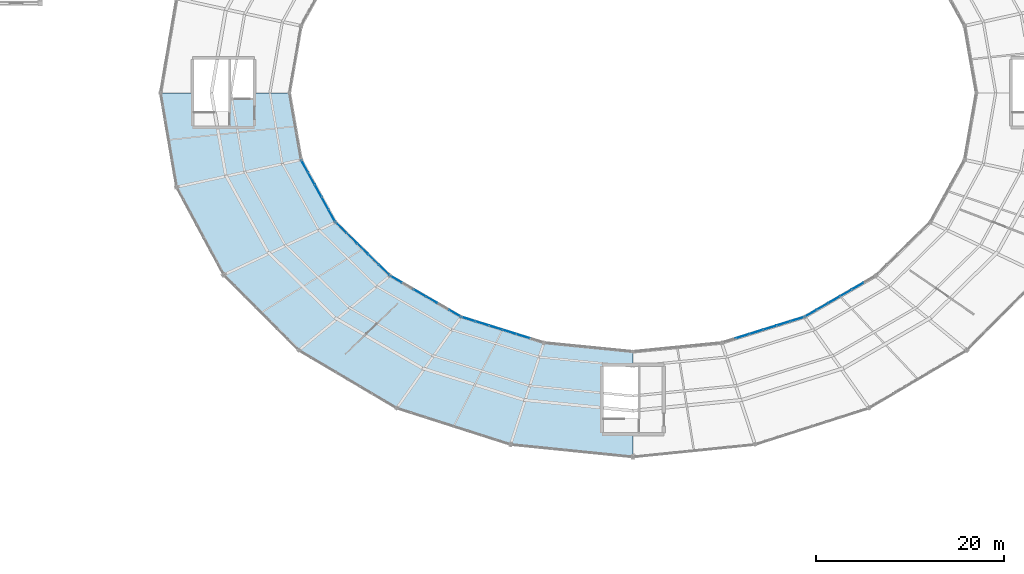
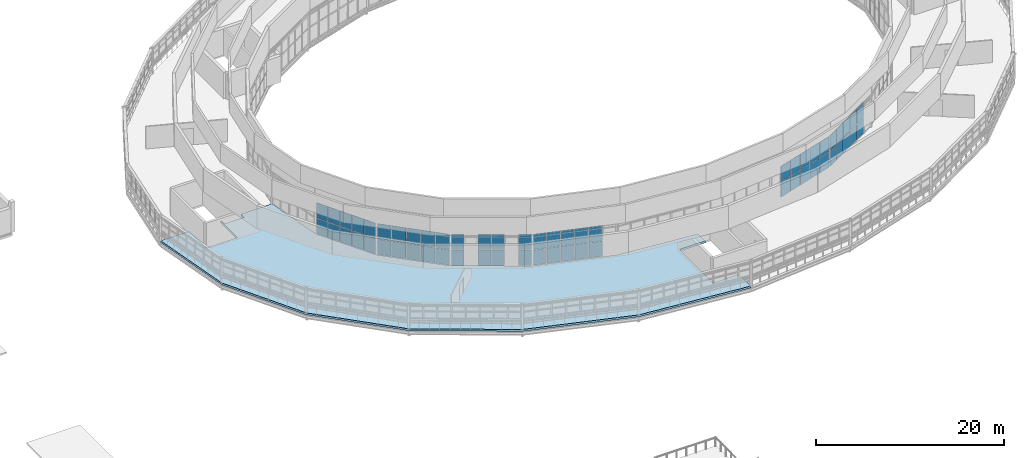
# One storey, part 81 of 123: 58 plates, 1 slab, 6 elements without a shape of their own.
"""IFC4 building model written with IfcOpenShell, lengths in metres."""

from ifc_helpers import new_model, si_unit, direction, frame, origin, origin_2d, place, context, subcontext, project, spatial, polyline, rectangle, outline, extrude, material, layer, layer_set, type_object, element, aggregate, save


model = new_model("IFC4")

# Units and contexts
model_context = context("Model", 3, precision=1e-05, world=origin(), true_north=direction((0.0, 1.0)))
body_context = subcontext(model_context, "Body", "Model", "MODEL_VIEW")
ifc_project = project(units=[si_unit("LENGTHUNIT", "METRE"), si_unit("AREAUNIT", "SQUARE_METRE"), si_unit("VOLUMEUNIT", "CUBIC_METRE"), si_unit("PLANEANGLEUNIT", "RADIAN"), si_unit("MASSUNIT", "GRAM", prefix="KILO")], contexts=[model_context])

# Site, building, storey
site_placement = place(None, origin())
site = spatial("IfcSite", under=ifc_project, at=site_placement, CompositionType="ELEMENT")
building_placement = place(site_placement, origin())
building = spatial("IfcBuilding", under=site, at=building_placement, Name="Kildeholm Park Wholesale Market", CompositionType="ELEMENT")
storey_placement = place(building_placement, frame((0.0, 0.0, 9.60009765625)))
storey = spatial("IfcBuildingStorey", under=building, at=storey_placement, Name="L02", CompositionType="ELEMENT", Elevation=9.60009765625)

# Curtain wall, plates
ifc_material_1 = material(Name="Anodised aluminium and low-E double-glazed glass", Category="aluminium")
curtain_wall_type = type_object("IfcCurtainWallType", Name="Clerestory daylight stick curtain wall CW-02", PredefinedType="NOTDEFINED", material=ifc_material_1)
curtain_wall_1_placement = place(storey_placement, origin())
curtain_wall_1 = element("IfcCurtainWall", 1, at=curtain_wall_1_placement, inside=storey, type_object=curtain_wall_type, Name="Curtain wall CW-V1-IN2-13 CW-0068", PredefinedType="NOTDEFINED")
ifc_material_2 = material(Name="Triple-glazed solar-control glass", Category="glass")
ifc_layer_1 = layer(ifc_material_2, 0.035888671875)
ifc_layer_set_1 = layer_set([ifc_layer_1], Name="Triple-glazed solar-control glass")
plate_type = type_object("IfcPlateType", Name="Curtain-wall panel CWP-2 36 mm", PredefinedType="CURTAIN_PANEL", material=ifc_layer_set_1)
plate_1_placement = place(storey_placement, frame((64.125, 81.676513671875, 0.06005859375), z_axis=(0.0, 0.0, 1.0), x_axis=(0.481749595055, -0.876308922506, 0.0)))
plate_1 = element("IfcPlate", 2, at=plate_1_placement, type_object=plate_type, Name="CW-02 panel 1.1 PLT-1054", PredefinedType="CURTAIN_PANEL", context=body_context, shape_type="SweptSolid", body=[
    extrude(rectangle(XDim=1.407958984375, YDim=0.035888671875, at=origin_2d()), origin(), (0.0, 0.0, 1.0), 1.985107421875),
])
plate_2_placement = place(storey_placement, frame((64.125, 81.676513671875, 2.10498046875), z_axis=(0.0, 0.0, 1.0), x_axis=(0.481749595055, -0.876308922506, 0.0)))
plate_2 = element("IfcPlate", 3, at=plate_2_placement, type_object=plate_type, Name="CW-02 panel 1.2 PLT-1055", PredefinedType="CURTAIN_PANEL", context=body_context, shape_type="SweptSolid", body=[
    extrude(rectangle(XDim=1.407958984375, YDim=0.035888671875, at=origin_2d()), origin(), (0.0, 0.0, 1.0), 1.985107421875),
])
plate_3_placement = place(storey_placement, frame((64.83935546875, 80.377197265625, 0.06005859375), z_axis=(0.0, 0.0, 1.0), x_axis=(0.481749595055, -0.876308922506, 0.0)))
plate_3 = element("IfcPlate", 4, at=plate_3_placement, type_object=plate_type, Name="CW-02 panel 2.1 PLT-1056", PredefinedType="CURTAIN_PANEL", context=body_context, shape_type="SweptSolid", body=[
    extrude(rectangle(XDim=1.43798828125, YDim=0.035888671875, at=origin_2d()), origin(), (0.0, 0.0, 1.0), 1.985107421875),
])
plate_4_placement = place(storey_placement, frame((64.83935546875, 80.377197265625, 2.10498046875), z_axis=(0.0, 0.0, 1.0), x_axis=(0.481749595055, -0.876308922506, 0.0)))
plate_4 = element("IfcPlate", 5, at=plate_4_placement, type_object=plate_type, Name="CW-02 panel 2.2 PLT-1057", PredefinedType="CURTAIN_PANEL", context=body_context, shape_type="SweptSolid", body=[
    extrude(rectangle(XDim=1.43798828125, YDim=0.035888671875, at=origin_2d()), origin(), (0.0, 0.0, 1.0), 1.985107421875),
])
plate_5_placement = place(storey_placement, frame((65.56103515625, 79.064453125, 0.06005859375), z_axis=(0.0, 0.0, 1.0), x_axis=(0.481749595055, -0.876308922506, 0.0)))
plate_5 = element("IfcPlate", 6, at=plate_5_placement, type_object=plate_type, Name="CW-02 panel 3.1 PLT-1058", PredefinedType="CURTAIN_PANEL", context=body_context, shape_type="SweptSolid", body=[
    extrude(rectangle(XDim=1.43798828125, YDim=0.035888671875, at=origin_2d()), origin(), (0.0, 0.0, 1.0), 1.985107421875),
])
plate_6_placement = place(storey_placement, frame((65.56103515625, 79.064453125, 2.10498046875), z_axis=(0.0, 0.0, 1.0), x_axis=(0.481749595055, -0.876308922506, 0.0)))
plate_6 = element("IfcPlate", 7, at=plate_6_placement, type_object=plate_type, Name="CW-02 panel 3.2 PLT-1059", PredefinedType="CURTAIN_PANEL", context=body_context, shape_type="SweptSolid", body=[
    extrude(rectangle(XDim=1.43798828125, YDim=0.035888671875, at=origin_2d()), origin(), (0.0, 0.0, 1.0), 1.985107421875),
])
plate_7_placement = place(storey_placement, frame((66.28271484375, 77.751953125, 0.06005859375), z_axis=(0.0, 0.0, 1.0), x_axis=(0.481749595055, -0.876308922506, 0.0)))
plate_7 = element("IfcPlate", 8, at=plate_7_placement, type_object=plate_type, Name="CW-02 panel 4.1 PLT-1060", PredefinedType="CURTAIN_PANEL", context=body_context, shape_type="SweptSolid", body=[
    extrude(rectangle(XDim=1.43798828125, YDim=0.035888671875, at=origin_2d()), origin(), (0.0, 0.0, 1.0), 1.985107421875),
])
plate_8_placement = place(storey_placement, frame((66.28271484375, 77.751953125, 2.10498046875), z_axis=(0.0, 0.0, 1.0), x_axis=(0.481749595055, -0.876308922506, 0.0)))
plate_8 = element("IfcPlate", 9, at=plate_8_placement, type_object=plate_type, Name="CW-02 panel 4.2 PLT-1061", PredefinedType="CURTAIN_PANEL", context=body_context, shape_type="SweptSolid", body=[
    extrude(rectangle(XDim=1.43798828125, YDim=0.035888671875, at=origin_2d()), origin(), (0.0, 0.0, 1.0), 1.985107421875),
])
plate_9_placement = place(storey_placement, frame((66.9970703125, 76.452392578125, 0.06005859375), z_axis=(0.0, 0.0, 1.0), x_axis=(0.481749595055, -0.876308922506, 0.0)))
plate_9 = element("IfcPlate", 10, at=plate_9_placement, type_object=plate_type, Name="CW-02 panel 5.1 PLT-1062", PredefinedType="CURTAIN_PANEL", context=body_context, shape_type="SweptSolid", body=[
    extrude(rectangle(XDim=1.407958984375, YDim=0.035888671875, at=origin_2d()), origin(), (0.0, 0.0, 1.0), 1.985107421875),
])
plate_10_placement = place(storey_placement, frame((66.9970703125, 76.452392578125, 2.10498046875), z_axis=(0.0, 0.0, 1.0), x_axis=(0.481749595055, -0.876308922506, 0.0)))
plate_10 = element("IfcPlate", 11, at=plate_10_placement, type_object=plate_type, Name="CW-02 panel 5.2 PLT-1063", PredefinedType="CURTAIN_PANEL", context=body_context, shape_type="SweptSolid", body=[
    extrude(rectangle(XDim=1.407958984375, YDim=0.035888671875, at=origin_2d()), origin(), (0.0, 0.0, 1.0), 1.985107421875),
])
aggregate(curtain_wall_1, [plate_1, plate_2, plate_3, plate_4, plate_5, plate_6, plate_7, plate_8, plate_9, plate_10])

curtain_wall_2_placement = place(storey_placement, origin())
curtain_wall_2 = element("IfcCurtainWall", 12, at=curtain_wall_2_placement, inside=storey, type_object=curtain_wall_type, Name="Curtain wall CW-V1-IN2-14 CW-0073", PredefinedType="NOTDEFINED")
plate_11_placement = place(storey_placement, frame((67.9990234375, 75.14453125, 0.06005859375), z_axis=(0.0, 0.0, 1.0), x_axis=(0.713537995789, -0.700616534607, 0.0)))
plate_11 = element("IfcPlate", 13, at=plate_11_placement, type_object=plate_type, Name="CW-02 panel 1.1 PLT-1116", PredefinedType="CURTAIN_PANEL", context=body_context, shape_type="SweptSolid", body=[
    extrude(rectangle(XDim=1.519775390625, YDim=0.035888671875, at=origin_2d()), origin(), (0.0, 0.0, 1.0), 1.985107421875),
])
plate_12_placement = place(storey_placement, frame((67.9990234375, 75.14453125, 2.10498046875), z_axis=(0.0, 0.0, 1.0), x_axis=(0.713537995789, -0.700616534607, 0.0)))
plate_12 = element("IfcPlate", 14, at=plate_12_placement, type_object=plate_type, Name="CW-02 panel 1.2 PLT-1117", PredefinedType="CURTAIN_PANEL", context=body_context, shape_type="SweptSolid", body=[
    extrude(rectangle(XDim=1.519775390625, YDim=0.035888671875, at=origin_2d()), origin(), (0.0, 0.0, 1.0), 1.985107421875),
])
plate_13_placement = place(storey_placement, frame((69.136962890625, 74.02734375, 0.06005859375), z_axis=(0.0, 0.0, 1.0), x_axis=(0.713537995789, -0.700616534607, 0.0)))
plate_13 = element("IfcPlate", 15, at=plate_13_placement, type_object=plate_type, Name="CW-02 panel 2.1 PLT-1118", PredefinedType="CURTAIN_PANEL", context=body_context, shape_type="SweptSolid", body=[
    extrude(rectangle(XDim=1.5498046875, YDim=0.035888671875, at=origin_2d()), origin(), (0.0, 0.0, 1.0), 1.985107421875),
])
plate_14_placement = place(storey_placement, frame((69.136962890625, 74.02734375, 2.10498046875), z_axis=(0.0, 0.0, 1.0), x_axis=(0.713537995789, -0.700616534607, 0.0)))
plate_14 = element("IfcPlate", 16, at=plate_14_placement, type_object=plate_type, Name="CW-02 panel 2.2 PLT-1119", PredefinedType="CURTAIN_PANEL", context=body_context, shape_type="SweptSolid", body=[
    extrude(rectangle(XDim=1.5498046875, YDim=0.035888671875, at=origin_2d()), origin(), (0.0, 0.0, 1.0), 1.985107421875),
])
plate_15_placement = place(storey_placement, frame((70.285400390625, 72.8994140625, 0.06005859375), z_axis=(0.0, 0.0, 1.0), x_axis=(0.713537995789, -0.700616534607, 0.0)))
plate_15 = element("IfcPlate", 17, at=plate_15_placement, type_object=plate_type, Name="CW-02 panel 3.1 PLT-1120", PredefinedType="CURTAIN_PANEL", context=body_context, shape_type="SweptSolid", body=[
    extrude(rectangle(XDim=1.5498046875, YDim=0.035888671875, at=origin_2d()), origin(), (0.0, 0.0, 1.0), 1.985107421875),
])
plate_16_placement = place(storey_placement, frame((70.285400390625, 72.8994140625, 2.10498046875), z_axis=(0.0, 0.0, 1.0), x_axis=(0.713537995789, -0.700616534607, 0.0)))
plate_16 = element("IfcPlate", 18, at=plate_16_placement, type_object=plate_type, Name="CW-02 panel 3.2 PLT-1121", PredefinedType="CURTAIN_PANEL", context=body_context, shape_type="SweptSolid", body=[
    extrude(rectangle(XDim=1.5498046875, YDim=0.035888671875, at=origin_2d()), origin(), (0.0, 0.0, 1.0), 1.985107421875),
])
plate_17_placement = place(storey_placement, frame((71.43408203125, 71.771728515625, 0.06005859375), z_axis=(0.0, 0.0, 1.0), x_axis=(0.713537995789, -0.700616534607, 0.0)))
plate_17 = element("IfcPlate", 19, at=plate_17_placement, type_object=plate_type, Name="CW-02 panel 4.1 PLT-1122", PredefinedType="CURTAIN_PANEL", context=body_context, shape_type="SweptSolid", body=[
    extrude(rectangle(XDim=1.5498046875, YDim=0.035888671875, at=origin_2d()), origin(), (0.0, 0.0, 1.0), 1.985107421875),
])
plate_18_placement = place(storey_placement, frame((71.43408203125, 71.771728515625, 2.10498046875), z_axis=(0.0, 0.0, 1.0), x_axis=(0.713537995789, -0.700616534607, 0.0)))
plate_18 = element("IfcPlate", 20, at=plate_18_placement, type_object=plate_type, Name="CW-02 panel 4.2 PLT-1123", PredefinedType="CURTAIN_PANEL", context=body_context, shape_type="SweptSolid", body=[
    extrude(rectangle(XDim=1.5498046875, YDim=0.035888671875, at=origin_2d()), origin(), (0.0, 0.0, 1.0), 1.985107421875),
])
plate_19_placement = place(storey_placement, frame((72.572021484375, 70.654296875, 0.06005859375), z_axis=(0.0, 0.0, 1.0), x_axis=(0.713537995789, -0.700616534607, 0.0)))
plate_19 = element("IfcPlate", 21, at=plate_19_placement, type_object=plate_type, Name="CW-02 panel 5.1 PLT-1124", PredefinedType="CURTAIN_PANEL", context=body_context, shape_type="SweptSolid", body=[
    extrude(rectangle(XDim=1.519775390625, YDim=0.035888671875, at=origin_2d()), origin(), (0.0, 0.0, 1.0), 1.985107421875),
])
plate_20_placement = place(storey_placement, frame((72.572021484375, 70.654296875, 2.10498046875), z_axis=(0.0, 0.0, 1.0), x_axis=(0.713537995789, -0.700616534607, 0.0)))
plate_20 = element("IfcPlate", 22, at=plate_20_placement, type_object=plate_type, Name="CW-02 panel 5.2 PLT-1125", PredefinedType="CURTAIN_PANEL", context=body_context, shape_type="SweptSolid", body=[
    extrude(rectangle(XDim=1.519775390625, YDim=0.035888671875, at=origin_2d()), origin(), (0.0, 0.0, 1.0), 1.985107421875),
])
aggregate(curtain_wall_2, [plate_11, plate_12, plate_13, plate_14, plate_15, plate_16, plate_17, plate_18, plate_19, plate_20])

curtain_wall_3_placement = place(storey_placement, origin())
curtain_wall_3 = element("IfcCurtainWall", 23, at=curtain_wall_3_placement, inside=storey, type_object=curtain_wall_type, Name="Curtain wall CW-V1-IN2-15 CW-0078", PredefinedType="NOTDEFINED")
plate_21_placement = place(storey_placement, frame((73.859130859375, 69.66259765625, 0.06005859375), z_axis=(0.0, 0.0, 1.0), x_axis=(0.865742656621, -0.500489412982, 0.0)))
plate_21 = element("IfcPlate", 24, at=plate_21_placement, type_object=plate_type, Name="CW-02 panel 1.1 PLT-1184", PredefinedType="CURTAIN_PANEL", context=body_context, shape_type="SweptSolid", body=[
    extrude(rectangle(XDim=1.351806640625, YDim=0.035888671875, at=origin_2d()), origin(), (0.0, 0.0, 1.0), 1.985107421875),
])
plate_22_placement = place(storey_placement, frame((73.859130859375, 69.66259765625, 2.10498046875), z_axis=(0.0, 0.0, 1.0), x_axis=(0.865742656621, -0.500489412982, 0.0)))
plate_22 = element("IfcPlate", 25, at=plate_22_placement, type_object=plate_type, Name="CW-02 panel 1.2 PLT-1185", PredefinedType="CURTAIN_PANEL", context=body_context, shape_type="SweptSolid", body=[
    extrude(rectangle(XDim=1.351806640625, YDim=0.035888671875, at=origin_2d()), origin(), (0.0, 0.0, 1.0), 1.985107421875),
])
plate_23_placement = place(storey_placement, frame((76.3427734375, 68.226806640625, 0.06005859375), z_axis=(0.0, 0.0, 1.0), x_axis=(0.865742656621, -0.500489412982, 0.0)))
plate_23 = element("IfcPlate", 26, at=plate_23_placement, type_object=plate_type, Name="CW-02 panel 3.1 PLT-1188", PredefinedType="CURTAIN_PANEL", context=body_context, shape_type="SweptSolid", body=[
    extrude(rectangle(XDim=1.3818359375, YDim=0.035888671875, at=origin_2d()), origin(), (0.0, 0.0, 1.0), 1.985107421875),
])
plate_24_placement = place(storey_placement, frame((76.3427734375, 68.226806640625, 2.10498046875), z_axis=(0.0, 0.0, 1.0), x_axis=(0.865742656621, -0.500489412982, 0.0)))
plate_24 = element("IfcPlate", 27, at=plate_24_placement, type_object=plate_type, Name="CW-02 panel 3.2 PLT-1189", PredefinedType="CURTAIN_PANEL", context=body_context, shape_type="SweptSolid", body=[
    extrude(rectangle(XDim=1.3818359375, YDim=0.035888671875, at=origin_2d()), origin(), (0.0, 0.0, 1.0), 1.985107421875),
])
plate_25_placement = place(storey_placement, frame((77.591064453125, 67.505126953125, 0.06005859375), z_axis=(0.0, 0.0, 1.0), x_axis=(0.865742656621, -0.500489412982, 0.0)))
plate_25 = element("IfcPlate", 28, at=plate_25_placement, type_object=plate_type, Name="CW-02 panel 4.1 PLT-1190", PredefinedType="CURTAIN_PANEL", context=body_context, shape_type="SweptSolid", body=[
    extrude(rectangle(XDim=1.3818359375, YDim=0.035888671875, at=origin_2d()), origin(), (0.0, 0.0, 1.0), 1.985107421875),
])
plate_26_placement = place(storey_placement, frame((77.591064453125, 67.505126953125, 2.10498046875), z_axis=(0.0, 0.0, 1.0), x_axis=(0.865742656621, -0.500489412982, 0.0)))
plate_26 = element("IfcPlate", 29, at=plate_26_placement, type_object=plate_type, Name="CW-02 panel 4.2 PLT-1191", PredefinedType="CURTAIN_PANEL", context=body_context, shape_type="SweptSolid", body=[
    extrude(rectangle(XDim=1.3818359375, YDim=0.035888671875, at=origin_2d()), origin(), (0.0, 0.0, 1.0), 1.985107421875),
])
plate_27_placement = place(storey_placement, frame((80.074951171875, 66.0693359375, 0.06005859375), z_axis=(0.0, 0.0, 1.0), x_axis=(0.865742656621, -0.500489412982, 0.0)))
plate_27 = element("IfcPlate", 30, at=plate_27_placement, type_object=plate_type, Name="CW-02 panel 6.1 PLT-1194", PredefinedType="CURTAIN_PANEL", context=body_context, shape_type="SweptSolid", body=[
    extrude(rectangle(XDim=1.351806640625, YDim=0.035888671875, at=origin_2d()), origin(), (0.0, 0.0, 1.0), 1.985107421875),
])
plate_28_placement = place(storey_placement, frame((80.074951171875, 66.0693359375, 2.10498046875), z_axis=(0.0, 0.0, 1.0), x_axis=(0.865742656621, -0.500489412982, 0.0)))
plate_28 = element("IfcPlate", 31, at=plate_28_placement, type_object=plate_type, Name="CW-02 panel 6.2 PLT-1195", PredefinedType="CURTAIN_PANEL", context=body_context, shape_type="SweptSolid", body=[
    extrude(rectangle(XDim=1.351806640625, YDim=0.035888671875, at=origin_2d()), origin(), (0.0, 0.0, 1.0), 1.985107421875),
])
aggregate(curtain_wall_3, [plate_21, plate_22, plate_23, plate_24, plate_25, plate_26, plate_27, plate_28])

curtain_wall_4_placement = place(storey_placement, origin())
curtain_wall_4 = element("IfcCurtainWall", 32, at=curtain_wall_4_placement, inside=storey, type_object=curtain_wall_type, Name="Curtain wall CW-V1-IN2-16 CW-0083", PredefinedType="NOTDEFINED")
plate_29_placement = place(storey_placement, frame((81.527587890625, 65.4375, 0.06005859375), z_axis=(0.0, 0.0, 1.0), x_axis=(0.954579186683, -0.297957339818, 0.0)))
plate_29 = element("IfcPlate", 33, at=plate_29_placement, type_object=plate_type, Name="CW-02 panel 1.1 PLT-1256", PredefinedType="CURTAIN_PANEL", context=body_context, shape_type="SweptSolid", body=[
    extrude(rectangle(XDim=1.43359375, YDim=0.035888671875, at=origin_2d()), origin(), (0.0, 0.0, 1.0), 1.985107421875),
])
plate_30_placement = place(storey_placement, frame((81.527587890625, 65.4375, 2.10498046875), z_axis=(0.0, 0.0, 1.0), x_axis=(0.954579186683, -0.297957339818, 0.0)))
plate_30 = element("IfcPlate", 34, at=plate_30_placement, type_object=plate_type, Name="CW-02 panel 1.2 PLT-1257", PredefinedType="CURTAIN_PANEL", context=body_context, shape_type="SweptSolid", body=[
    extrude(rectangle(XDim=1.43359375, YDim=0.035888671875, at=origin_2d()), origin(), (0.0, 0.0, 1.0), 1.985107421875),
])
plate_31_placement = place(storey_placement, frame((82.9677734375, 64.988037109375, 0.06005859375), z_axis=(0.0, 0.0, 1.0), x_axis=(0.954579186683, -0.297957339818, 0.0)))
plate_31 = element("IfcPlate", 35, at=plate_31_placement, type_object=plate_type, Name="CW-02 panel 2.1 PLT-1258", PredefinedType="CURTAIN_PANEL", context=body_context, shape_type="SweptSolid", body=[
    extrude(rectangle(XDim=1.463623046875, YDim=0.035888671875, at=origin_2d()), origin(), (0.0, 0.0, 1.0), 1.985107421875),
])
plate_32_placement = place(storey_placement, frame((82.9677734375, 64.988037109375, 2.10498046875), z_axis=(0.0, 0.0, 1.0), x_axis=(0.954579186683, -0.297957339818, 0.0)))
plate_32 = element("IfcPlate", 36, at=plate_32_placement, type_object=plate_type, Name="CW-02 panel 2.2 PLT-1259", PredefinedType="CURTAIN_PANEL", context=body_context, shape_type="SweptSolid", body=[
    extrude(rectangle(XDim=1.463623046875, YDim=0.035888671875, at=origin_2d()), origin(), (0.0, 0.0, 1.0), 1.985107421875),
])
plate_33_placement = place(storey_placement, frame((84.42236328125, 64.533935546875, 0.06005859375), z_axis=(0.0, 0.0, 1.0), x_axis=(0.954579186683, -0.297957339818, 0.0)))
plate_33 = element("IfcPlate", 37, at=plate_33_placement, type_object=plate_type, Name="CW-02 panel 3.1 PLT-1260", PredefinedType="CURTAIN_PANEL", context=body_context, shape_type="SweptSolid", body=[
    extrude(rectangle(XDim=1.463623046875, YDim=0.035888671875, at=origin_2d()), origin(), (0.0, 0.0, 1.0), 1.985107421875),
])
plate_34_placement = place(storey_placement, frame((84.42236328125, 64.533935546875, 2.10498046875), z_axis=(0.0, 0.0, 1.0), x_axis=(0.954579186683, -0.297957339818, 0.0)))
plate_34 = element("IfcPlate", 38, at=plate_34_placement, type_object=plate_type, Name="CW-02 panel 3.2 PLT-1261", PredefinedType="CURTAIN_PANEL", context=body_context, shape_type="SweptSolid", body=[
    extrude(rectangle(XDim=1.463623046875, YDim=0.035888671875, at=origin_2d()), origin(), (0.0, 0.0, 1.0), 1.985107421875),
])
plate_35_placement = place(storey_placement, frame((85.876708984375, 64.080078125, 0.06005859375), z_axis=(0.0, 0.0, 1.0), x_axis=(0.954579186683, -0.297957339818, 0.0)))
plate_35 = element("IfcPlate", 39, at=plate_35_placement, type_object=plate_type, Name="CW-02 panel 4.1 PLT-1262", PredefinedType="CURTAIN_PANEL", context=body_context, shape_type="SweptSolid", body=[
    extrude(rectangle(XDim=1.463623046875, YDim=0.035888671875, at=origin_2d()), origin(), (0.0, 0.0, 1.0), 1.985107421875),
])
plate_36_placement = place(storey_placement, frame((85.876708984375, 64.080078125, 2.10498046875), z_axis=(0.0, 0.0, 1.0), x_axis=(0.954579186683, -0.297957339818, 0.0)))
plate_36 = element("IfcPlate", 40, at=plate_36_placement, type_object=plate_type, Name="CW-02 panel 4.2 PLT-1263", PredefinedType="CURTAIN_PANEL", context=body_context, shape_type="SweptSolid", body=[
    extrude(rectangle(XDim=1.463623046875, YDim=0.035888671875, at=origin_2d()), origin(), (0.0, 0.0, 1.0), 1.985107421875),
])
plate_37_placement = place(storey_placement, frame((87.331298828125, 63.6259765625, 0.06005859375), z_axis=(0.0, 0.0, 1.0), x_axis=(0.954579186683, -0.297957339818, 0.0)))
plate_37 = element("IfcPlate", 41, at=plate_37_placement, type_object=plate_type, Name="CW-02 panel 5.1 PLT-1264", PredefinedType="CURTAIN_PANEL", context=body_context, shape_type="SweptSolid", body=[
    extrude(rectangle(XDim=1.463623046875, YDim=0.035888671875, at=origin_2d()), origin(), (0.0, 0.0, 1.0), 1.985107421875),
])
plate_38_placement = place(storey_placement, frame((87.331298828125, 63.6259765625, 2.10498046875), z_axis=(0.0, 0.0, 1.0), x_axis=(0.954579186683, -0.297957339818, 0.0)))
plate_38 = element("IfcPlate", 42, at=plate_38_placement, type_object=plate_type, Name="CW-02 panel 5.2 PLT-1265", PredefinedType="CURTAIN_PANEL", context=body_context, shape_type="SweptSolid", body=[
    extrude(rectangle(XDim=1.463623046875, YDim=0.035888671875, at=origin_2d()), origin(), (0.0, 0.0, 1.0), 1.985107421875),
])
aggregate(curtain_wall_4, [plate_29, plate_30, plate_31, plate_32, plate_33, plate_34, plate_35, plate_36, plate_37, plate_38])

curtain_wall_5_placement = place(storey_placement, origin())
curtain_wall_5 = element("IfcCurtainWall", 43, at=curtain_wall_5_placement, inside=storey, type_object=curtain_wall_type, Name="Curtain wall CW-V1-IN2-19 CW-0098", PredefinedType="NOTDEFINED")
plate_39_placement = place(storey_placement, frame((110.668701171875, 63.6259765625, 0.06005859375), z_axis=(0.0, 0.0, 1.0), x_axis=(0.954579186683, 0.297957339818, 0.0)))
plate_39 = element("IfcPlate", 44, at=plate_39_placement, type_object=plate_type, Name="CW-02 panel 2.1 PLT-1478", PredefinedType="CURTAIN_PANEL", context=body_context, shape_type="SweptSolid", body=[
    extrude(rectangle(XDim=1.463623046875, YDim=0.035888671875, at=origin_2d()), origin(), (0.0, 0.0, 1.0), 1.985107421875),
])
plate_40_placement = place(storey_placement, frame((110.668701171875, 63.6259765625, 2.10498046875), z_axis=(0.0, 0.0, 1.0), x_axis=(0.954579186683, 0.297957339818, 0.0)))
plate_40 = element("IfcPlate", 45, at=plate_40_placement, type_object=plate_type, Name="CW-02 panel 2.2 PLT-1479", PredefinedType="CURTAIN_PANEL", context=body_context, shape_type="SweptSolid", body=[
    extrude(rectangle(XDim=1.463623046875, YDim=0.035888671875, at=origin_2d()), origin(), (0.0, 0.0, 1.0), 1.985107421875),
])
plate_41_placement = place(storey_placement, frame((112.123291015625, 64.080078125, 0.06005859375), z_axis=(0.0, 0.0, 1.0), x_axis=(0.954579186683, 0.297957339818, 0.0)))
plate_41 = element("IfcPlate", 46, at=plate_41_placement, type_object=plate_type, Name="CW-02 panel 3.1 PLT-1480", PredefinedType="CURTAIN_PANEL", context=body_context, shape_type="SweptSolid", body=[
    extrude(rectangle(XDim=1.463623046875, YDim=0.035888671875, at=origin_2d()), origin(), (0.0, 0.0, 1.0), 1.985107421875),
])
plate_42_placement = place(storey_placement, frame((112.123291015625, 64.080078125, 2.10498046875), z_axis=(0.0, 0.0, 1.0), x_axis=(0.954579186683, 0.297957339818, 0.0)))
plate_42 = element("IfcPlate", 47, at=plate_42_placement, type_object=plate_type, Name="CW-02 panel 3.2 PLT-1481", PredefinedType="CURTAIN_PANEL", context=body_context, shape_type="SweptSolid", body=[
    extrude(rectangle(XDim=1.463623046875, YDim=0.035888671875, at=origin_2d()), origin(), (0.0, 0.0, 1.0), 1.985107421875),
])
plate_43_placement = place(storey_placement, frame((113.57763671875, 64.533935546875, 0.06005859375), z_axis=(0.0, 0.0, 1.0), x_axis=(0.954579186683, 0.297957339818, 0.0)))
plate_43 = element("IfcPlate", 48, at=plate_43_placement, type_object=plate_type, Name="CW-02 panel 4.1 PLT-1482", PredefinedType="CURTAIN_PANEL", context=body_context, shape_type="SweptSolid", body=[
    extrude(rectangle(XDim=1.463623046875, YDim=0.035888671875, at=origin_2d()), origin(), (0.0, 0.0, 1.0), 1.985107421875),
])
plate_44_placement = place(storey_placement, frame((113.57763671875, 64.533935546875, 2.10498046875), z_axis=(0.0, 0.0, 1.0), x_axis=(0.954579186683, 0.297957339818, 0.0)))
plate_44 = element("IfcPlate", 49, at=plate_44_placement, type_object=plate_type, Name="CW-02 panel 4.2 PLT-1483", PredefinedType="CURTAIN_PANEL", context=body_context, shape_type="SweptSolid", body=[
    extrude(rectangle(XDim=1.463623046875, YDim=0.035888671875, at=origin_2d()), origin(), (0.0, 0.0, 1.0), 1.985107421875),
])
plate_45_placement = place(storey_placement, frame((115.0322265625, 64.988037109375, 0.06005859375), z_axis=(0.0, 0.0, 1.0), x_axis=(0.954579186683, 0.297957339818, 0.0)))
plate_45 = element("IfcPlate", 50, at=plate_45_placement, type_object=plate_type, Name="CW-02 panel 5.1 PLT-1484", PredefinedType="CURTAIN_PANEL", context=body_context, shape_type="SweptSolid", body=[
    extrude(rectangle(XDim=1.463623046875, YDim=0.035888671875, at=origin_2d()), origin(), (0.0, 0.0, 1.0), 1.985107421875),
])
plate_46_placement = place(storey_placement, frame((115.0322265625, 64.988037109375, 2.10498046875), z_axis=(0.0, 0.0, 1.0), x_axis=(0.954579186683, 0.297957339818, 0.0)))
plate_46 = element("IfcPlate", 51, at=plate_46_placement, type_object=plate_type, Name="CW-02 panel 5.2 PLT-1485", PredefinedType="CURTAIN_PANEL", context=body_context, shape_type="SweptSolid", body=[
    extrude(rectangle(XDim=1.463623046875, YDim=0.035888671875, at=origin_2d()), origin(), (0.0, 0.0, 1.0), 1.985107421875),
])
plate_47_placement = place(storey_placement, frame((116.472412109375, 65.4375, 0.06005859375), z_axis=(0.0, 0.0, 1.0), x_axis=(0.954579186683, 0.297957339818, 0.0)))
plate_47 = element("IfcPlate", 52, at=plate_47_placement, type_object=plate_type, Name="CW-02 panel 6.1 PLT-1486", PredefinedType="CURTAIN_PANEL", context=body_context, shape_type="SweptSolid", body=[
    extrude(rectangle(XDim=1.43359375, YDim=0.035888671875, at=origin_2d()), origin(), (0.0, 0.0, 1.0), 1.985107421875),
])
plate_48_placement = place(storey_placement, frame((116.472412109375, 65.4375, 2.10498046875), z_axis=(0.0, 0.0, 1.0), x_axis=(0.954579186683, 0.297957339818, 0.0)))
plate_48 = element("IfcPlate", 53, at=plate_48_placement, type_object=plate_type, Name="CW-02 panel 6.2 PLT-1487", PredefinedType="CURTAIN_PANEL", context=body_context, shape_type="SweptSolid", body=[
    extrude(rectangle(XDim=1.43359375, YDim=0.035888671875, at=origin_2d()), origin(), (0.0, 0.0, 1.0), 1.985107421875),
])
aggregate(curtain_wall_5, [plate_39, plate_40, plate_41, plate_42, plate_43, plate_44, plate_45, plate_46, plate_47, plate_48])

curtain_wall_6_placement = place(storey_placement, origin())
curtain_wall_6 = element("IfcCurtainWall", 54, at=curtain_wall_6_placement, inside=storey, type_object=curtain_wall_type, Name="Curtain wall CW-V1-IN2-20 CW-0103", PredefinedType="NOTDEFINED")
plate_49_placement = place(storey_placement, frame((117.925048828125, 66.0693359375, 0.06005859375), z_axis=(0.0, 0.0, 1.0), x_axis=(0.865742656621, 0.500489412982, 0.0)))
plate_49 = element("IfcPlate", 55, at=plate_49_placement, type_object=plate_type, Name="CW-02 panel 1.1 PLT-1546", PredefinedType="CURTAIN_PANEL", context=body_context, shape_type="SweptSolid", body=[
    extrude(rectangle(XDim=1.351806640625, YDim=0.035888671875, at=origin_2d()), origin(), (0.0, 0.0, 1.0), 1.985107421875),
])
plate_50_placement = place(storey_placement, frame((117.925048828125, 66.0693359375, 2.10498046875), z_axis=(0.0, 0.0, 1.0), x_axis=(0.865742656621, 0.500489412982, 0.0)))
plate_50 = element("IfcPlate", 56, at=plate_50_placement, type_object=plate_type, Name="CW-02 panel 1.2 PLT-1547", PredefinedType="CURTAIN_PANEL", context=body_context, shape_type="SweptSolid", body=[
    extrude(rectangle(XDim=1.351806640625, YDim=0.035888671875, at=origin_2d()), origin(), (0.0, 0.0, 1.0), 1.985107421875),
])
plate_51_placement = place(storey_placement, frame((119.160400390625, 66.783447265625, 0.06005859375), z_axis=(0.0, 0.0, 1.0), x_axis=(0.865742656621, 0.500489412982, 0.0)))
plate_51 = element("IfcPlate", 57, at=plate_51_placement, type_object=plate_type, Name="CW-02 panel 2.1 PLT-1548", PredefinedType="CURTAIN_PANEL", context=body_context, shape_type="SweptSolid", body=[
    extrude(rectangle(XDim=1.3818359375, YDim=0.035888671875, at=origin_2d()), origin(), (0.0, 0.0, 1.0), 1.985107421875),
])
plate_52_placement = place(storey_placement, frame((119.160400390625, 66.783447265625, 2.10498046875), z_axis=(0.0, 0.0, 1.0), x_axis=(0.865742656621, 0.500489412982, 0.0)))
plate_52 = element("IfcPlate", 58, at=plate_52_placement, type_object=plate_type, Name="CW-02 panel 2.2 PLT-1549", PredefinedType="CURTAIN_PANEL", context=body_context, shape_type="SweptSolid", body=[
    extrude(rectangle(XDim=1.3818359375, YDim=0.035888671875, at=origin_2d()), origin(), (0.0, 0.0, 1.0), 1.985107421875),
])
plate_53_placement = place(storey_placement, frame((120.408935546875, 67.505126953125, 0.06005859375), z_axis=(0.0, 0.0, 1.0), x_axis=(0.865742656621, 0.500489412982, 0.0)))
plate_53 = element("IfcPlate", 59, at=plate_53_placement, type_object=plate_type, Name="CW-02 panel 3.1 PLT-1550", PredefinedType="CURTAIN_PANEL", context=body_context, shape_type="SweptSolid", body=[
    extrude(rectangle(XDim=1.3818359375, YDim=0.035888671875, at=origin_2d()), origin(), (0.0, 0.0, 1.0), 1.985107421875),
])
plate_54_placement = place(storey_placement, frame((120.408935546875, 67.505126953125, 2.10498046875), z_axis=(0.0, 0.0, 1.0), x_axis=(0.865742656621, 0.500489412982, 0.0)))
plate_54 = element("IfcPlate", 60, at=plate_54_placement, type_object=plate_type, Name="CW-02 panel 3.2 PLT-1551", PredefinedType="CURTAIN_PANEL", context=body_context, shape_type="SweptSolid", body=[
    extrude(rectangle(XDim=1.3818359375, YDim=0.035888671875, at=origin_2d()), origin(), (0.0, 0.0, 1.0), 1.985107421875),
])
plate_55_placement = place(storey_placement, frame((121.6572265625, 68.226806640625, 0.06005859375), z_axis=(0.0, 0.0, 1.0), x_axis=(0.865742656621, 0.500489412982, 0.0)))
plate_55 = element("IfcPlate", 61, at=plate_55_placement, type_object=plate_type, Name="CW-02 panel 4.1 PLT-1552", PredefinedType="CURTAIN_PANEL", context=body_context, shape_type="SweptSolid", body=[
    extrude(rectangle(XDim=1.3818359375, YDim=0.035888671875, at=origin_2d()), origin(), (0.0, 0.0, 1.0), 1.985107421875),
])
plate_56_placement = place(storey_placement, frame((121.6572265625, 68.226806640625, 2.10498046875), z_axis=(0.0, 0.0, 1.0), x_axis=(0.865742656621, 0.500489412982, 0.0)))
plate_56 = element("IfcPlate", 62, at=plate_56_placement, type_object=plate_type, Name="CW-02 panel 4.2 PLT-1553", PredefinedType="CURTAIN_PANEL", context=body_context, shape_type="SweptSolid", body=[
    extrude(rectangle(XDim=1.3818359375, YDim=0.035888671875, at=origin_2d()), origin(), (0.0, 0.0, 1.0), 1.985107421875),
])
plate_57_placement = place(storey_placement, frame((122.905517578125, 68.948486328125, 0.06005859375), z_axis=(0.0, 0.0, 1.0), x_axis=(0.865742656621, 0.500489412982, 0.0)))
plate_57 = element("IfcPlate", 63, at=plate_57_placement, type_object=plate_type, Name="CW-02 panel 5.1 PLT-1554", PredefinedType="CURTAIN_PANEL", context=body_context, shape_type="SweptSolid", body=[
    extrude(rectangle(XDim=1.3818359375, YDim=0.035888671875, at=origin_2d()), origin(), (0.0, 0.0, 1.0), 1.985107421875),
])
plate_58_placement = place(storey_placement, frame((122.905517578125, 68.948486328125, 2.10498046875), z_axis=(0.0, 0.0, 1.0), x_axis=(0.865742656621, 0.500489412982, 0.0)))
plate_58 = element("IfcPlate", 64, at=plate_58_placement, type_object=plate_type, Name="CW-02 panel 5.2 PLT-1555", PredefinedType="CURTAIN_PANEL", context=body_context, shape_type="SweptSolid", body=[
    extrude(rectangle(XDim=1.3818359375, YDim=0.035888671875, at=origin_2d()), origin(), (0.0, 0.0, 1.0), 1.985107421875),
])
aggregate(curtain_wall_6, [plate_49, plate_50, plate_51, plate_52, plate_53, plate_54, plate_55, plate_56, plate_57, plate_58])

# Slab
ifc_material_3 = material(Name="Concrete C35/45", Category="concrete")
ifc_layer_2 = layer(ifc_material_3, 0.25)
ifc_layer_set_2 = layer_set([ifc_layer_2], Name="Concrete C35/45")
slab_type = type_object("IfcSlabType", Name="Slab S-FL1 250 mm", PredefinedType="FLOOR", material=ifc_layer_set_2)
slab_placement = place(storey_placement, frame((0.0, 0.0, -0.25)))
element("IfcSlab", 65, at=slab_placement, inside=storey, type_object=slab_type, Name="Produce hall L02 inner ring slab quadrant 3 SLB-0009", PredefinedType="FLOOR", context=body_context, shape_type="SweptSolid", body=[
    extrude(outline(polyline([(99.0, 50.800048828125), (86.007080078125, 52.118896484375), (73.89990234375, 55.985107421875), (63.5029296875, 62.135009765625), (55.52587890625, 70.14990234375), (50.510986328125, 79.48388671875), (48.800048828125, 89.5), (52.320068359375, 89.5), (52.320068359375, 85.919921875), (56.179931640625, 85.919921875), (56.179931640625, 89.5), (56.280029296875, 89.5), (56.280029296875, 88.820068359375), (58.679931640625, 88.820068359375), (58.679931640625, 89.5), (62.5, 89.5), (63.743896484375, 82.382080078125), (67.389892578125, 75.75), (73.19091796875, 70.054931640625), (80.75, 65.68408203125), (89.552978515625, 62.93701171875), (99.0, 62.0), (99.0, 60.47998046875), (95.820068359375, 60.47998046875), (95.820068359375, 53.320068359375), (99.0, 53.320068359375), (99.0, 50.800048828125)])), origin(), (0.0, 0.0, 1.0), 0.25),
])

save(model, "model.ifc")
